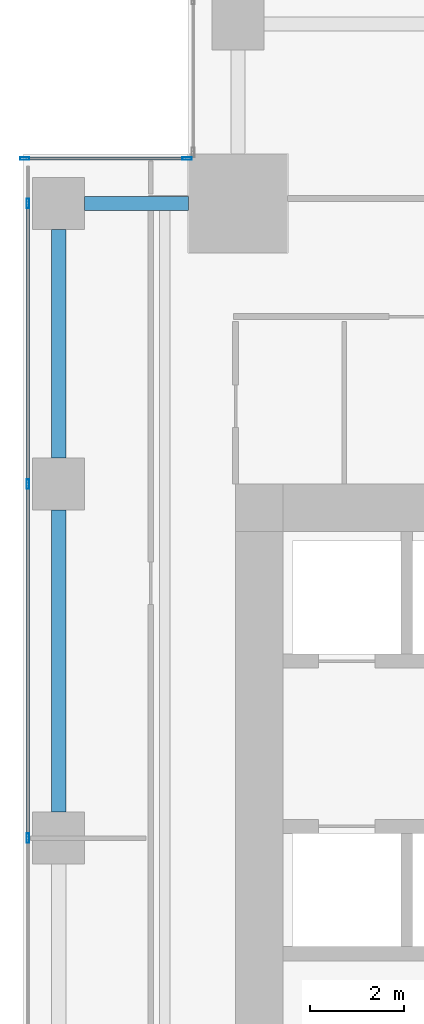
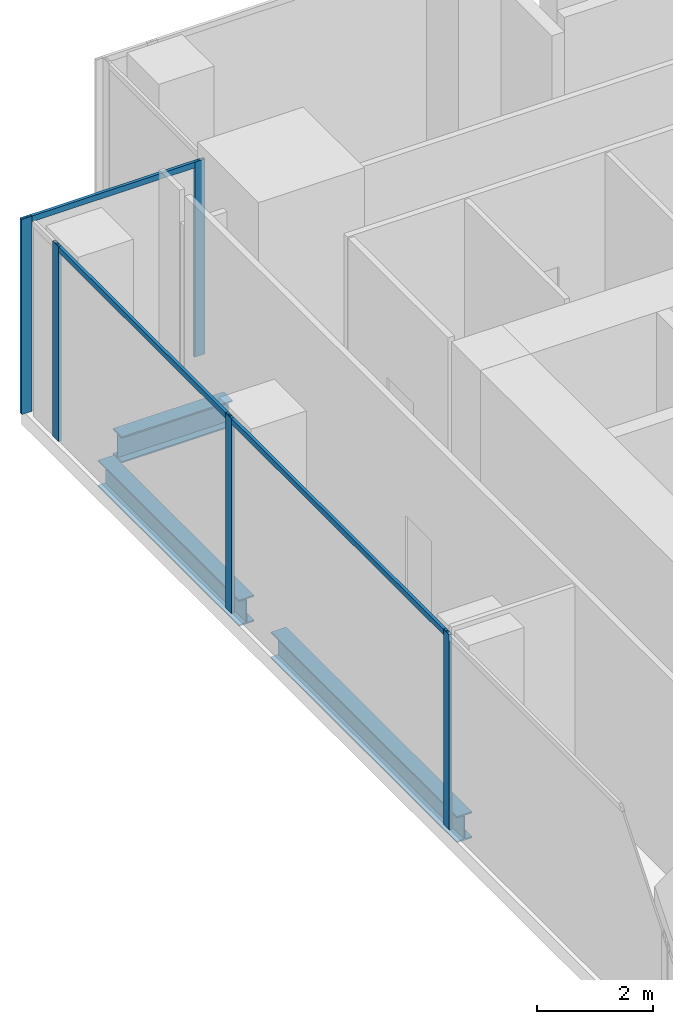
# One storey, part 14 of 34: 8 members, 3 beams, 2 elements without a shape of their own.
"""IFC4 building model written with IfcOpenShell, lengths in metres."""

from ifc_helpers import new_model, si_unit, direction, frame, origin, origin_2d, place, context, subcontext, project, spatial, hollow_rectangle, i_section, extrude, source, transform, mapped, material, material_profile, profile_set, type_object, element, aggregate, save


model = new_model("IFC4")

# Units and contexts
model_context = context("Model", 3, precision=1e-05, world=origin(), true_north=direction((0.0, 1.0)))
body_context = subcontext(model_context, "Body", "Model", "MODEL_VIEW")
ifc_project = project(units=[si_unit("LENGTHUNIT", "METRE"), si_unit("AREAUNIT", "SQUARE_METRE"), si_unit("VOLUMEUNIT", "CUBIC_METRE"), si_unit("PLANEANGLEUNIT", "RADIAN"), si_unit("MASSUNIT", "GRAM", prefix="KILO")], contexts=[model_context])

# Site, building, storey
site_placement = place(None, origin())
site = spatial("IfcSite", under=ifc_project, at=site_placement, CompositionType="ELEMENT")
building_placement = place(site_placement, origin())
building = spatial("IfcBuilding", under=site, at=building_placement, Name="Khomas Fold Tower", CompositionType="ELEMENT")
storey_placement = place(building_placement, frame((0.0, 0.0, 105.89990234375)))
storey = spatial("IfcBuildingStorey", under=building, at=storey_placement, Name="L22", CompositionType="ELEMENT", Elevation=105.89990234375)

# Beams
ifc_material_1 = material(Name="Steel S355", Category="steel")
ifc_material_profile_1 = material_profile(ifc_material_1, i_section(OverallWidth=0.300048828125, OverallDepth=0.550048828125, WebThickness=0.014892578125, FlangeThickness=0.029052734375, at=origin_2d()), Name="HE 550 B")
ifc_profile_set_1 = profile_set([ifc_material_profile_1], Name="Steel S355")
beam_type = type_object("IfcBeamType", Name="HE 550 B spandrel SB2", PredefinedType="SPANDREL", material=ifc_profile_set_1)
shared_shape_1 = source(origin(), body_context, "Body", "SweptSolid", [
    extrude(i_section(OverallWidth=0.300048828125, OverallDepth=0.550048828125, WebThickness=0.014892578125, FlangeThickness=0.029052734375, at=origin_2d()), origin(), (0.0, 0.0, 1.0), 4.849853515625),
])
beam_1_placement = place(storey_placement, frame((2.25, 42.550048828125, -0.574951171875), z_axis=(0.0, 1.0, 0.0), x_axis=(-1.0, 0.0, 0.0)))
element("IfcBeam", 1, at=beam_1_placement, inside=storey, type_object=beam_type, Name="SB2", PredefinedType="SPANDREL", context=body_context, shape_type="MappedRepresentation", body=[
    mapped(shared_shape_1, transform((0.0, 0.0, 0.0))),
])
shared_shape_2 = source(origin(), body_context, "Body", "SweptSolid", [
    extrude(i_section(OverallWidth=0.300048828125, OverallDepth=0.550048828125, WebThickness=0.014892578125, FlangeThickness=0.029052734375, at=origin_2d()), origin(), (0.0, 0.0, 1.0), 6.39990234375),
])
beam_2_placement = place(storey_placement, frame((2.25, 35.050048828125, -0.574951171875), z_axis=(0.0, 1.0, 0.0), x_axis=(-1.0, 0.0, 0.0)))
element("IfcBeam", 2, at=beam_2_placement, inside=storey, type_object=beam_type, Name="SB2", PredefinedType="SPANDREL", context=body_context, shape_type="MappedRepresentation", body=[
    mapped(shared_shape_2, transform((0.0, 0.0, 0.0))),
])
shared_shape_3 = source(origin(), body_context, "Body", "SweptSolid", [
    extrude(i_section(OverallWidth=0.300048828125, OverallDepth=0.550048828125, WebThickness=0.014892578125, FlangeThickness=0.029052734375, at=origin_2d()), origin(), (0.0, 0.0, 1.0), 2.199951171875),
])
beam_3_placement = place(storey_placement, frame((2.800048828125, 47.949951171875, -0.574951171875), z_axis=(1.0, 0.0, 0.0), x_axis=(0.0, 1.0, 0.0)))
element("IfcBeam", 3, at=beam_3_placement, inside=storey, type_object=beam_type, Name="SB2", PredefinedType="SPANDREL", context=body_context, shape_type="MappedRepresentation", body=[
    mapped(shared_shape_3, transform((0.0, 0.0, 0.0))),
])

# Curtain wall, member
ifc_material_2 = material(Name="Aluminium framed double glazing", Category="aluminium")
curtain_wall_type = type_object("IfcCurtainWallType", Name="SK-Unitised clear-glass wall, growing floors CW1", PredefinedType="NOTDEFINED", material=ifc_material_2)
curtain_wall_1_placement = place(storey_placement, origin())
curtain_wall_1 = element("IfcCurtainWall", 4, at=curtain_wall_1_placement, inside=storey, type_object=curtain_wall_type, Name="CW1 run L22 09-0", PredefinedType="NOTDEFINED")
ifc_material_3 = material(Name="Aluminium", Category="aluminium")
ifc_material_profile_2 = material_profile(ifc_material_3, hollow_rectangle(XDim=0.06005859375, YDim=0.1201171875, WallThickness=0.00390625, at=origin_2d()), Name="SK-Unitised clear-glass wall, growing floors transom CW1-T")
ifc_profile_set_2 = profile_set([ifc_material_profile_2], Name="Aluminium")
member_type_1 = type_object("IfcMemberType", Name="SK-Unitised clear-glass wall, growing floors transom CW1-T", PredefinedType="USERDEFINED", material=ifc_profile_set_2)
shared_shape_4 = source(origin(), body_context, "Body", "SweptSolid", [
    extrude(hollow_rectangle(XDim=0.06005859375, YDim=0.1201171875, WallThickness=0.00390625, at=origin_2d()), origin(), (0.0, 0.0, 1.0), 7.43994140625),
])
member_1_placement = place(storey_placement, frame((1.60009765625, 41.969970703125, 4.0400390625), z_axis=(0.0, -1.0, 0.0), x_axis=(1.0, 0.0, 0.0)))
member_1 = element("IfcMember", 5, at=member_1_placement, type_object=member_type_1, Name="CW1 transom 3", ObjectType="TRANSOM", PredefinedType="USERDEFINED", context=body_context, shape_type="MappedRepresentation", body=[
    mapped(shared_shape_4, transform((0.0, 0.0, 0.0))),
])

# Curtain wall, members
curtain_wall_2_placement = place(storey_placement, origin())
curtain_wall_2 = element("IfcCurtainWall", 6, at=curtain_wall_2_placement, inside=storey, type_object=curtain_wall_type, Name="CW1 corner return L22 08", PredefinedType="NOTDEFINED")
ifc_material_4 = material(Name="Aluminium", Category="aluminium")
ifc_material_profile_3 = material_profile(ifc_material_4, hollow_rectangle(XDim=0.06005859375, YDim=0.199951171875, WallThickness=0.00390625, at=origin_2d()), Name="SK-Unitised clear-glass wall, growing floors mullion CW1-M")
ifc_profile_set_3 = profile_set([ifc_material_profile_3], Name="Aluminium")
member_type_2 = type_object("IfcMemberType", Name="SK-Unitised clear-glass wall, growing floors mullion CW1-M", PredefinedType="MULLION", material=ifc_profile_set_3)
shared_shape_5 = source(origin(), body_context, "Body", "SweptSolid", [
    extrude(hollow_rectangle(XDim=0.06005859375, YDim=0.199951171875, WallThickness=0.00390625, at=origin_2d()), origin(), (0.0, 0.0, 1.0), 4.10009765625),
])
member_2_placement = place(storey_placement, frame((4.969970703125, 48.89990234375, 0.0), z_axis=(0.0, 0.0, 1.0), x_axis=(0.0, -1.0, 0.0)))
member_2 = element("IfcMember", 7, at=member_2_placement, type_object=member_type_2, Name="CW1 mullion 1", PredefinedType="MULLION", context=body_context, shape_type="MappedRepresentation", body=[
    mapped(shared_shape_5, transform((0.0, 0.0, 0.0))),
])
member_3_placement = place(storey_placement, frame((1.530029296875, 48.89990234375, 0.0), z_axis=(0.0, 0.0, 1.0), x_axis=(0.0, -1.0, 0.0)))
member_3 = element("IfcMember", 8, at=member_3_placement, type_object=member_type_2, Name="CW1 mullion 2", PredefinedType="MULLION", context=body_context, shape_type="MappedRepresentation", body=[
    mapped(shared_shape_5, transform((0.0, 0.0, 0.0))),
])

# Member
member_4_placement = place(storey_placement, frame((1.60009765625, 47.949951171875, 0.0), z_axis=(0.0, 0.0, 1.0), x_axis=(1.0, 0.0, 0.0)))
member_4 = element("IfcMember", 9, at=member_4_placement, type_object=member_type_2, Name="CW1 mullion 2", PredefinedType="MULLION", context=body_context, shape_type="MappedRepresentation", body=[
    mapped(shared_shape_5, transform((0.0, 0.0, 0.0))),
])

member_5_placement = place(storey_placement, frame((1.60009765625, 42.0, 0.0), z_axis=(0.0, 0.0, 1.0), x_axis=(1.0, 0.0, 0.0)))
member_5 = element("IfcMember", 10, at=member_5_placement, type_object=member_type_2, Name="CW1 mullion 3", PredefinedType="MULLION", context=body_context, shape_type="MappedRepresentation", body=[
    mapped(shared_shape_5, transform((0.0, 0.0, 0.0))),
])

member_6_placement = place(storey_placement, frame((1.60009765625, 34.5, 0.0), z_axis=(0.0, 0.0, 1.0), x_axis=(1.0, 0.0, 0.0)))
member_6 = element("IfcMember", 11, at=member_6_placement, type_object=member_type_2, Name="CW1 mullion 4", PredefinedType="MULLION", context=body_context, shape_type="MappedRepresentation", body=[
    mapped(shared_shape_5, transform((0.0, 0.0, 0.0))),
])

shared_shape_6 = source(origin(), body_context, "Body", "SweptSolid", [
    extrude(hollow_rectangle(XDim=0.06005859375, YDim=0.1201171875, WallThickness=0.00390625, at=origin_2d()), origin(), (0.0, 0.0, 1.0), 5.889892578125),
])
member_7_placement = place(storey_placement, frame((1.60009765625, 47.919921875, 4.0400390625), z_axis=(0.0, -1.0, 0.0), x_axis=(1.0, 0.0, 0.0)))
member_7 = element("IfcMember", 12, at=member_7_placement, type_object=member_type_1, Name="CW1 transom 2", ObjectType="TRANSOM", PredefinedType="USERDEFINED", context=body_context, shape_type="MappedRepresentation", body=[
    mapped(shared_shape_6, transform((0.0, 0.0, 0.0))),
])

aggregate(curtain_wall_1, [member_4, member_5, member_6, member_7, member_1])

shared_shape_7 = source(origin(), body_context, "Body", "SweptSolid", [
    extrude(hollow_rectangle(XDim=0.06005859375, YDim=0.1201171875, WallThickness=0.00390625, at=origin_2d()), origin(), (0.0, 0.0, 1.0), 3.3798828125),
])
member_8_placement = place(storey_placement, frame((4.93994140625, 48.89990234375, 4.0400390625), z_axis=(-1.0, 0.0, 0.0), x_axis=(0.0, -1.0, 0.0)))
member_8 = element("IfcMember", 13, at=member_8_placement, type_object=member_type_1, Name="CW1 transom 1", ObjectType="TRANSOM", PredefinedType="USERDEFINED", context=body_context, shape_type="MappedRepresentation", body=[
    mapped(shared_shape_7, transform((0.0, 0.0, 0.0))),
])

aggregate(curtain_wall_2, [member_2, member_3, member_8])

save(model, "model.ifc")
